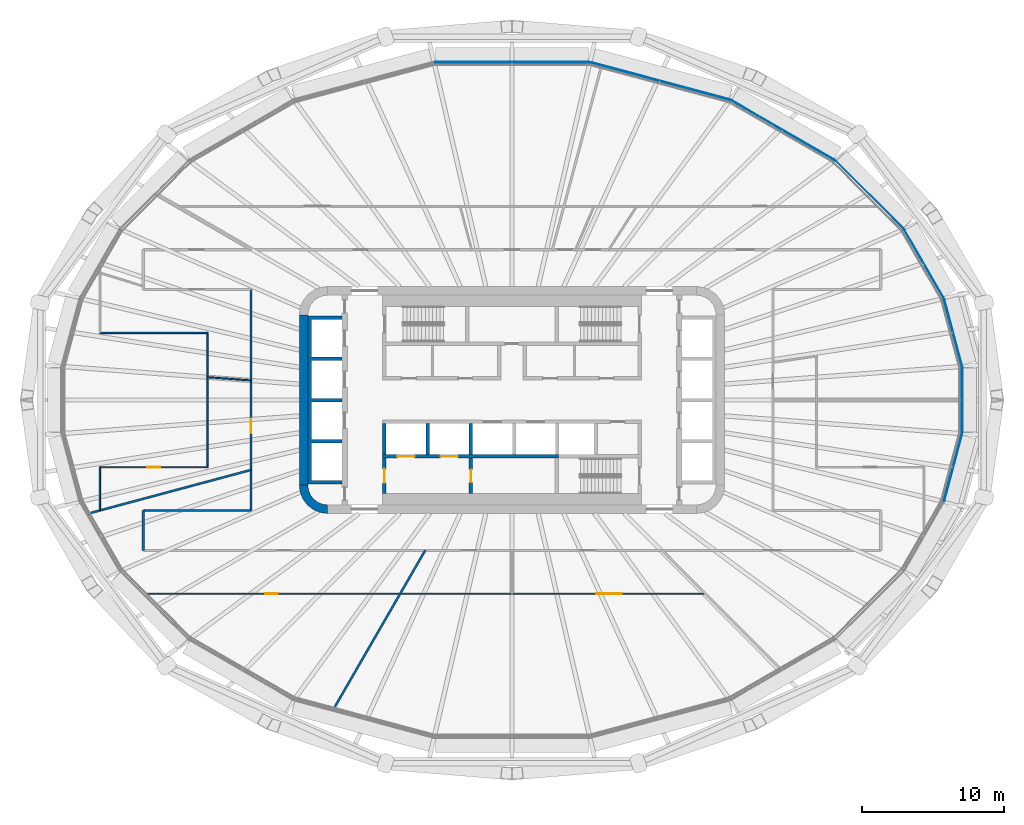
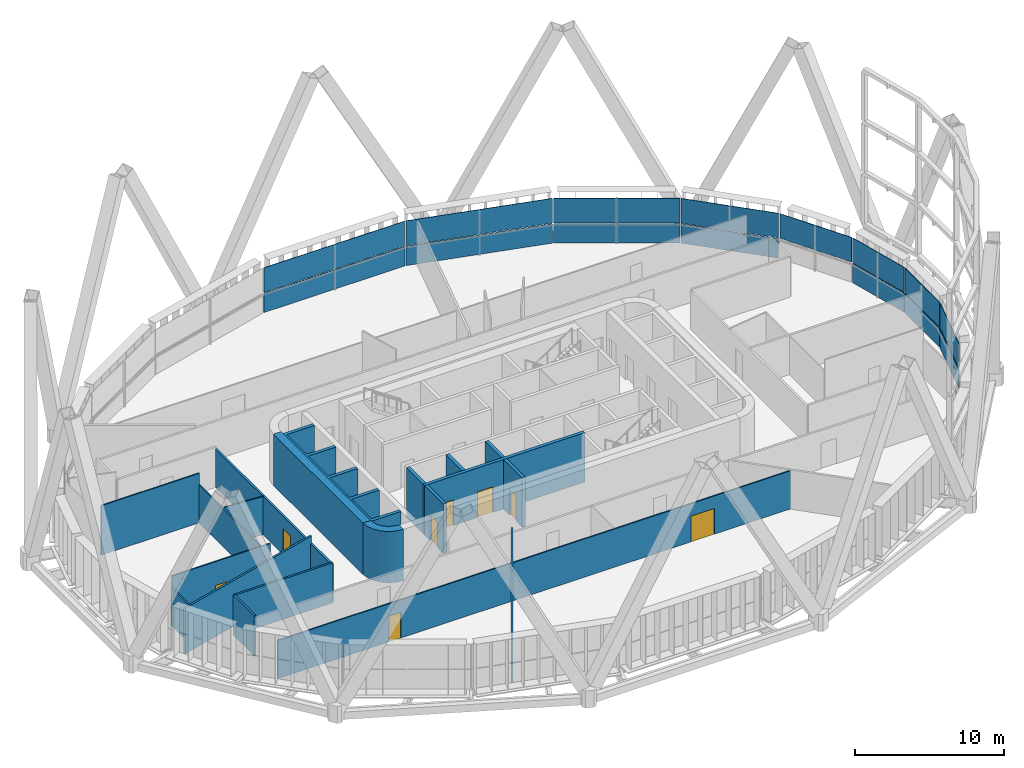
# One storey, part 15 of 26: 20 walls, 15 plates, 8 doors, 8 openings, 8 elements without a shape of their own.
"""IFC4 building model written with IfcOpenShell, lengths in metres."""

from ifc_helpers import new_model, si_unit, direction, frame, frame_2d, origin, place, context, subcontext, project, spatial, polyline, rectangle, outline, extrude, material, layer, layer_set, type_object, element, fill, aggregate, save


model = new_model("IFC4")

# Units and contexts
model_context = context("Model", 3, precision=1e-05, world=origin(), true_north=direction((0.0, 1.0)))
body_context = subcontext(model_context, "Body", "Model", "MODEL_VIEW")
ifc_project = project(units=[si_unit("LENGTHUNIT", "METRE"), si_unit("AREAUNIT", "SQUARE_METRE"), si_unit("VOLUMEUNIT", "CUBIC_METRE"), si_unit("PLANEANGLEUNIT", "RADIAN"), si_unit("MASSUNIT", "GRAM", prefix="KILO")], contexts=[model_context])

# Site, building, storey
site_placement = place(None, origin())
site = spatial("IfcSite", under=ifc_project, at=site_placement, CompositionType="ELEMENT")
building_placement = place(site_placement, origin())
building = spatial("IfcBuilding", under=site, at=building_placement, Name="Sahrelin Media Tower", CompositionType="ELEMENT")
storey_placement = place(building_placement, frame((0.0, 0.0, 131.39990234375)))
storey = spatial("IfcBuildingStorey", under=building, at=storey_placement, Name="L26", CompositionType="ELEMENT", Elevation=131.39990234375)

# Curtain wall, plate
ifc_material_1 = material(Name="Champagne anodised aluminium 6063-T6", Category="aluminium")
ifc_layer_1 = layer(ifc_material_1, 0.14990234375)
ifc_layer_set_1 = layer_set([ifc_layer_1], Name="Tower ribbon curtain wall")
curtain_wall_type = type_object("IfcCurtainWallType", Name="Tower ribbon curtain wall", PredefinedType="NOTDEFINED", material=ifc_layer_set_1)
curtain_wall_1_placement = place(storey_placement, frame((31.749267578125, 0.0, 0.0), z_axis=(0.0, 0.0, 1.0), x_axis=(1.0, 0.0, 0.0)))
curtain_wall_1 = element("IfcCurtainWall", 1, at=curtain_wall_1_placement, inside=storey, type_object=curtain_wall_type, Name="L26:CW:L26-00", PredefinedType="NOTDEFINED")
ifc_material_2 = material(Name="Clear low-iron glazing", Category="glass")
ifc_layer_2 = layer(ifc_material_2, 0.0400390625)
ifc_layer_set_2 = layer_set([ifc_layer_2], Name="Glazing panel 40 mm CW1")
plate_type_1 = type_object("IfcPlateType", Name="Glazing panel 40 mm CW1", PredefinedType="CURTAIN_PANEL", material=ifc_layer_set_2)
plate_1_placement = place(storey_placement, frame((31.769287109375, -2.322021484375, 1.630126953125), z_axis=(1.0, 0.0, 0.0), x_axis=(0.0, 1.0, 0.0)))
plate_1 = element("IfcPlate", 2, at=plate_1_placement, type_object=plate_type_1, Name="L26:CWP2:L26-00", PredefinedType="CURTAIN_PANEL", context=body_context, shape_type="SweptSolid", body=[
    extrude(outline(polyline([(0.0, 0.0), (4.64404296875, 0.0), (4.64404296875, 2.0185546875), (0.0, 2.0185546875), (0.0, 0.0)])), origin(), (0.0, 0.0, -1.0), 0.0400390625),
])

curtain_wall_2_placement = place(storey_placement, frame((31.107421875, 4.76806640625, 0.0), z_axis=(0.0, 0.0, 1.0), x_axis=(1.0, 0.0, 0.0)))
curtain_wall_2 = element("IfcCurtainWall", 3, at=curtain_wall_2_placement, inside=storey, type_object=curtain_wall_type, Name="L26:CW:L26-01", PredefinedType="NOTDEFINED")
plate_2_placement = place(storey_placement, frame((31.755615234375, 2.42529296875, 1.630126953125), z_axis=(0.965935050712, 0.258784616633, 0.0), x_axis=(-0.258784616633, 0.965935050712, 0.0)))
plate_2 = element("IfcPlate", 4, at=plate_2_placement, type_object=plate_type_1, Name="L26:CWP2:L26-01", PredefinedType="CURTAIN_PANEL", context=body_context, shape_type="SweptSolid", body=[
    extrude(outline(polyline([(0.0, 0.0), (4.861328125, 0.0), (4.861328125, 2.0185546875), (0.0, 2.0185546875), (0.0, 0.0)])), origin(), (0.0, 0.0, -1.0), 0.0400390625),
])

curtain_wall_3_placement = place(storey_placement, frame((29.053955078125, 9.608642578125, 0.0), z_axis=(0.0, 0.0, 1.0), x_axis=(1.0, 0.0, 0.0)))
curtain_wall_3 = element("IfcCurtainWall", 5, at=curtain_wall_3_placement, inside=storey, type_object=curtain_wall_type, Name="L26:CW:L26-02", PredefinedType="NOTDEFINED")
plate_3_placement = place(storey_placement, frame((30.45751953125, 7.217529296875, 1.630126953125), z_axis=(0.866015486245, 0.500017177289, 0.0), x_axis=(-0.500017177289, 0.866015486245, 0.0)))
plate_3 = element("IfcPlate", 6, at=plate_3_placement, type_object=plate_type_1, Name="L26:CWP2:L26-02", PredefinedType="CURTAIN_PANEL", context=body_context, shape_type="SweptSolid", body=[
    extrude(outline(polyline([(0.0, 0.0), (5.545166015625, 0.0), (5.545166015625, 2.0185546875), (0.0, 2.0185546875), (0.0, 0.0)])), origin(), (0.0, 0.0, -1.0), 0.0400390625),
])
aggregate(curtain_wall_3, [plate_3])

curtain_wall_4_placement = place(storey_placement, frame((25.2177734375, 14.477783203125, 0.0), z_axis=(0.0, 0.0, 1.0), x_axis=(1.0, 0.0, 0.0)))
curtain_wall_4 = element("IfcCurtainWall", 7, at=curtain_wall_4_placement, inside=storey, type_object=curtain_wall_type, Name="L26:CW:L26-03", PredefinedType="NOTDEFINED")
plate_4_placement = place(storey_placement, frame((27.621337890625, 12.1025390625, 1.630126953125), z_axis=(0.707106781187, 0.707106781187, 0.0), x_axis=(-0.707106781187, 0.707106781187, 0.0)))
plate_4 = element("IfcPlate", 8, at=plate_4_placement, type_object=plate_type_1, Name="L26:CWP2:L26-03", PredefinedType="CURTAIN_PANEL", context=body_context, shape_type="SweptSolid", body=[
    extrude(outline(polyline([(0.0, 0.0), (6.75830078125, 0.0), (6.75830078125, 2.0185546875), (0.0, 2.0185546875), (0.0, 0.0)])), origin(), (0.0, 0.0, -1.0), 0.0400390625),
])

curtain_wall_5_placement = place(storey_placement, frame((19.092041015625, 19.039306640625, 0.0), z_axis=(0.0, 0.0, 1.0), x_axis=(1.0, 0.0, 0.0)))
curtain_wall_5 = element("IfcCurtainWall", 9, at=curtain_wall_5_placement, inside=storey, type_object=curtain_wall_type, Name="L26:CW:L26-04", PredefinedType="NOTDEFINED")
plate_5_placement = place(storey_placement, frame((22.759765625, 16.94482421875, 1.630126953125), z_axis=(0.499993479487, 0.866029168372, 0.0), x_axis=(-0.866029168372, 0.499993479487, 0.0)))
plate_5 = element("IfcPlate", 10, at=plate_5_placement, type_object=plate_type_1, Name="L26:CWP2:L26-04", PredefinedType="CURTAIN_PANEL", context=body_context, shape_type="SweptSolid", body=[
    extrude(outline(polyline([(0.0, 0.0), (8.447265625, 0.0), (8.447265625, 2.0185546875), (0.0, 2.0185546875), (0.0, 0.0)])), origin(), (0.0, 0.0, -1.0), 0.0400390625),
])

curtain_wall_6_placement = place(storey_placement, frame((10.4443359375, 22.501708984375, 0.0), z_axis=(0.0, 0.0, 1.0), x_axis=(1.0, 0.0, 0.0)))
curtain_wall_6 = element("IfcCurtainWall", 11, at=curtain_wall_6_placement, inside=storey, type_object=curtain_wall_type, Name="L26:CW:L26-05", PredefinedType="NOTDEFINED")
plate_6_placement = place(storey_placement, frame((15.347900390625, 21.20849609375, 1.630126953125), z_axis=(0.25882512505, 0.965924197151, 0.0), x_axis=(-0.965924197151, 0.25882512505, 0.0)))
plate_6 = element("IfcPlate", 12, at=plate_6_placement, type_object=plate_type_1, Name="L26:CWP2:L26-05", PredefinedType="CURTAIN_PANEL", context=body_context, shape_type="SweptSolid", body=[
    extrude(outline(polyline([(0.0, 0.0), (10.14208984375, 0.0), (10.14208984375, 2.0185546875), (0.0, 2.0185546875), (0.0, 0.0)])), origin(), (0.0, 0.0, -1.0), 0.0400390625),
])

curtain_wall_7_placement = place(storey_placement, frame((0.0, 23.826904296875, 0.0), z_axis=(0.0, 0.0, 1.0), x_axis=(1.0, 0.0, 0.0)))
curtain_wall_7 = element("IfcCurtainWall", 13, at=curtain_wall_7_placement, inside=storey, type_object=curtain_wall_type, Name="L26:CW:L26-06", PredefinedType="NOTDEFINED")
plate_7_placement = place(storey_placement, frame((5.447998046875, 23.846923828125, 1.630126953125), z_axis=(0.0, 1.0, 0.0), x_axis=(-1.0, 0.0, 0.0)))
plate_7 = element("IfcPlate", 14, at=plate_7_placement, type_object=plate_type_1, Name="L26:CWP2:L26-06", PredefinedType="CURTAIN_PANEL", context=body_context, shape_type="SweptSolid", body=[
    extrude(outline(polyline([(0.0, 0.0), (10.89599609375, 0.0), (10.89599609375, 2.0185546875), (0.0, 2.0185546875), (0.0, 0.0)])), origin(), (0.0, 0.0, -1.0), 0.0400390625),
])

curtain_wall_8_placement = place(storey_placement, frame((31.107421875, -4.76806640625, 0.0), z_axis=(0.0, 0.0, 1.0), x_axis=(1.0, 0.0, 0.0)))
curtain_wall_8 = element("IfcCurtainWall", 15, at=curtain_wall_8_placement, inside=storey, type_object=curtain_wall_type, Name="L26:CW:L26-23", PredefinedType="NOTDEFINED")
plate_8_placement = place(storey_placement, frame((30.49755859375, -7.12109375, 1.630126953125), z_axis=(0.965935050712, -0.258784616633, 0.0), x_axis=(0.258784616633, 0.965935050712, 0.0)))
plate_8 = element("IfcPlate", 16, at=plate_8_placement, type_object=plate_type_1, Name="L26:CWP2:L26-23", PredefinedType="CURTAIN_PANEL", context=body_context, shape_type="SweptSolid", body=[
    extrude(outline(polyline([(0.0, 0.0), (4.861328125, 0.0), (4.861328125, 2.0185546875), (0.0, 2.0185546875), (0.0, 0.0)])), origin(), (0.0, 0.0, -1.0), 0.0400390625),
])

# Plate
ifc_material_3 = material(Name="Insulated spandrel panel")
ifc_layer_3 = layer(ifc_material_3, 0.06005859375)
ifc_layer_set_3 = layer_set([ifc_layer_3], Name="Spandrel panel 60 mm CW1")
plate_type_2 = type_object("IfcPlateType", Name="Spandrel panel 60 mm CW1", PredefinedType="SHEET", material=ifc_layer_set_3)
plate_9_placement = place(storey_placement, frame((31.769287109375, -2.322021484375, 0.0), z_axis=(1.0, 0.0, 0.0), x_axis=(0.0, 1.0, 0.0)))
plate_9 = element("IfcPlate", 17, at=plate_9_placement, type_object=plate_type_2, Name="L26:CWP1:L26-00", PredefinedType="SHEET", context=body_context, shape_type="SweptSolid", body=[
    extrude(outline(polyline([(0.0, 0.0), (4.64404296875, 0.0), (4.64404296875, 1.570068359375), (0.0, 1.570068359375), (0.0, 0.0)])), origin(), (0.0, 0.0, -1.0), 0.06005859375),
])

aggregate(curtain_wall_1, [plate_9, plate_1])

plate_10_placement = place(storey_placement, frame((31.755615234375, 2.42529296875, 0.0), z_axis=(0.965935050712, 0.258784616633, 0.0), x_axis=(-0.258784616633, 0.965935050712, 0.0)))
plate_10 = element("IfcPlate", 18, at=plate_10_placement, type_object=plate_type_2, Name="L26:CWP1:L26-01", PredefinedType="SHEET", context=body_context, shape_type="SweptSolid", body=[
    extrude(outline(polyline([(0.0, 0.0), (4.861328125, 0.0), (4.861328125, 1.570068359375), (0.0, 1.570068359375), (0.0, 0.0)])), origin(), (0.0, 0.0, -1.0), 0.06005859375),
])

aggregate(curtain_wall_2, [plate_10, plate_2])

plate_11_placement = place(storey_placement, frame((27.621337890625, 12.1025390625, 0.0), z_axis=(0.707106781187, 0.707106781187, 0.0), x_axis=(-0.707106781187, 0.707106781187, 0.0)))
plate_11 = element("IfcPlate", 19, at=plate_11_placement, type_object=plate_type_2, Name="L26:CWP1:L26-03", PredefinedType="SHEET", context=body_context, shape_type="SweptSolid", body=[
    extrude(outline(polyline([(0.0, 0.0), (6.75830078125, 0.0), (6.75830078125, 1.570068359375), (0.0, 1.570068359375), (0.0, 0.0)])), origin(), (0.0, 0.0, -1.0), 0.06005859375),
])

aggregate(curtain_wall_4, [plate_11, plate_4])

plate_12_placement = place(storey_placement, frame((22.759765625, 16.94482421875, 0.0), z_axis=(0.499993479487, 0.866029168372, 0.0), x_axis=(-0.866029168372, 0.499993479487, 0.0)))
plate_12 = element("IfcPlate", 20, at=plate_12_placement, type_object=plate_type_2, Name="L26:CWP1:L26-04", PredefinedType="SHEET", context=body_context, shape_type="SweptSolid", body=[
    extrude(outline(polyline([(0.0, 0.0), (8.447265625, 0.0), (8.447265625, 1.570068359375), (0.0, 1.570068359375), (0.0, 0.0)])), origin(), (0.0, 0.0, -1.0), 0.06005859375),
])

aggregate(curtain_wall_5, [plate_12, plate_5])

plate_13_placement = place(storey_placement, frame((15.347900390625, 21.20849609375, 0.0), z_axis=(0.25882512505, 0.965924197151, 0.0), x_axis=(-0.965924197151, 0.25882512505, 0.0)))
plate_13 = element("IfcPlate", 21, at=plate_13_placement, type_object=plate_type_2, Name="L26:CWP1:L26-05", PredefinedType="SHEET", context=body_context, shape_type="SweptSolid", body=[
    extrude(outline(polyline([(0.0, 0.0), (10.14208984375, 0.0), (10.14208984375, 1.570068359375), (0.0, 1.570068359375), (0.0, 0.0)])), origin(), (0.0, 0.0, -1.0), 0.06005859375),
])

aggregate(curtain_wall_6, [plate_13, plate_6])

plate_14_placement = place(storey_placement, frame((5.447998046875, 23.846923828125, 0.0), z_axis=(0.0, 1.0, 0.0), x_axis=(-1.0, 0.0, 0.0)))
plate_14 = element("IfcPlate", 22, at=plate_14_placement, type_object=plate_type_2, Name="L26:CWP1:L26-06", PredefinedType="SHEET", context=body_context, shape_type="SweptSolid", body=[
    extrude(outline(polyline([(0.0, 0.0), (10.89599609375, 0.0), (10.89599609375, 1.570068359375), (0.0, 1.570068359375), (0.0, 0.0)])), origin(), (0.0, 0.0, -1.0), 0.06005859375),
])

aggregate(curtain_wall_7, [plate_14, plate_7])

plate_15_placement = place(storey_placement, frame((30.49755859375, -7.12109375, 0.0), z_axis=(0.965935050712, -0.258784616633, 0.0), x_axis=(0.258784616633, 0.965935050712, 0.0)))
plate_15 = element("IfcPlate", 23, at=plate_15_placement, type_object=plate_type_2, Name="L26:CWP1:L26-23", PredefinedType="SHEET", context=body_context, shape_type="SweptSolid", body=[
    extrude(outline(polyline([(0.0, 0.0), (4.861328125, 0.0), (4.861328125, 1.570068359375), (0.0, 1.570068359375), (0.0, 0.0)])), origin(), (0.0, 0.0, -1.0), 0.06005859375),
])

aggregate(curtain_wall_8, [plate_15, plate_8])

# Walls
ifc_material_4 = material(Name="Concrete C60/75", Category="concrete")
ifc_layer_4 = layer(ifc_material_4, 0.60009765625)
ifc_layer_set_4 = layer_set([ifc_layer_4], Name="Core wall 600")
wall_type_1 = type_object("IfcWallType", Name="Core wall 600", PredefinedType="SHEAR", material=ifc_layer_set_4)
wall_1_placement = place(storey_placement, frame((-14.699951171875, -6.0, 0.0), z_axis=(0.0, 0.0, 1.0), x_axis=(0.0, 1.0, 0.0)))
element("IfcWall", 24, at=wall_1_placement, inside=storey, type_object=wall_type_1, Name="Core wall W L26", PredefinedType="SHEAR", context=body_context, shape_type="SweptSolid", body=[
    extrude(rectangle(XDim=12.0, YDim=0.60009765625, at=frame_2d((6.0, 0.0))), origin(), (0.0, 0.0, 1.0), 4.2001953125),
])
placement = place(storey_placement, origin())
element("IfcWall", 25, at=placement, inside=storey, type_object=wall_type_1, Name="Core wall corner SW L26", PredefinedType="SHEAR", context=body_context, shape_type="SweptSolid", body=[
    extrude(outline(polyline([(-13.0, -8.0), (-13.0, -7.394775390625), (-13.361083984375, -7.347412109375), (-13.697509765625, -7.2080078125), (-13.986328125, -6.986328125), (-14.2080078125, -6.697509765625), (-14.347412109375, -6.361083984375), (-14.394775390625, -6.0), (-15.0, -6.0), (-14.931884765625, -6.517578125), (-14.732177734375, -7.0), (-14.414306640625, -7.414306640625), (-14.0, -7.732177734375), (-13.517578125, -7.931884765625), (-13.0, -8.0)])), origin(), (0.0, 0.0, 1.0), 4.2001953125),
])
ifc_material_5 = material(Name="Fire-rated gypsum board partition")
ifc_layer_5 = layer(ifc_material_5, 0.14990234375)
ifc_layer_set_5 = layer_set([ifc_layer_5], Name="Fire-rated partition 150")
wall_type_2 = type_object("IfcWallType", Name="Fire-rated partition 150", PredefinedType="PARTITIONING", material=ifc_layer_set_5)
wall_3_placement = place(storey_placement, frame((-26.0, -7.800048828125, 0.0), z_axis=(0.0, 0.0, 1.0), x_axis=(1.0, 0.0, 0.0)))
element("IfcWall", 26, at=wall_3_placement, inside=storey, type_object=wall_type_2, Name="Wall", PredefinedType="PARTITIONING", context=body_context, shape_type="SweptSolid", body=[
    extrude(rectangle(XDim=7.60009765625, YDim=0.14990234375, at=frame_2d((3.800048828125, 0.0))), origin(), (0.0, 0.0, 1.0), 3.276123046875),
])
wall_4_placement = place(storey_placement, frame((-29.966064453125, -8.029052734375, 0.0), z_axis=(0.0, 0.0, 1.0), x_axis=(0.965898076595, 0.258922586171, 0.0)))
element("IfcWall", 27, at=wall_4_placement, inside=storey, type_object=wall_type_2, Name="Wall", PredefinedType="PARTITIONING", context=body_context, shape_type="SweptSolid", body=[
    extrude(rectangle(XDim=11.97412109375, YDim=0.14990234375, at=frame_2d((5.987060546875, 0.0))), origin(), (0.0, 0.0, 1.0), 3.726806640625),
])
wall_5_placement = place(storey_placement, frame((-12.64990234375, -21.909912109375, 0.0), z_axis=(0.0, 0.0, 1.0), x_axis=(0.500017508733, 0.866015294877, 0.0)))
element("IfcWall", 28, at=wall_5_placement, inside=storey, type_object=wall_type_2, Name="Wall", PredefinedType="PARTITIONING", context=body_context, shape_type="SweptSolid", body=[
    extrude(rectangle(XDim=13.0595703125, YDim=0.14990234375, at=frame_2d((6.52978515625, 0.0))), origin(), (0.0, 0.0, 1.0), 3.501708984375),
])

# Wall, opening, door
wall_6_placement = place(storey_placement, frame((-18.39990234375, -7.800048828125, 0.0), z_axis=(0.0, 0.0, 1.0), x_axis=(0.0, 1.0, 0.0)))
wall_6 = element("IfcWall", 29, at=wall_6_placement, inside=storey, type_object=wall_type_2, Name="Wall", PredefinedType="PARTITIONING", context=body_context, shape_type="SweptSolid", body=[
    extrude(rectangle(XDim=15.60009765625, YDim=0.14990234375, at=frame_2d((7.800048828125, 0.0))), origin(), (0.0, 0.0, 1.0), 3.127197265625),
])
opening_1_placement = place(wall_6_placement, frame((5.474365234375, 0.0, 0.0)))
opening_1 = element("IfcOpeningElement", 30, at=opening_1_placement, cuts=wall_6, Name="Opening L26-D35", PredefinedType="OPENING", context=body_context, shape_type="SweptSolid", body=[
    extrude(rectangle(XDim=1.0, YDim=2.10009765625, at=frame_2d((0.5, 1.050048828125))), frame((0.0, 0.074951171875, 0.0), z_axis=(0.0, -1.0, 0.0), x_axis=(1.0, 0.0, 0.0)), (0.0, 0.0, 1.0), 0.14990234375),
])
ifc_material_6 = material(Name="Steel fire door leaf", Category="steel")
door_type_1 = type_object("IfcDoorType", Name="Fire door 1000 x 2100 EI 60", OperationType="NOTDEFINED", PredefinedType="DOOR", material=ifc_material_6)
door_1_placement = place(opening_1_placement, origin())
door_1 = element("IfcDoor", 31, at=door_1_placement, inside=storey, type_object=door_type_1, Name="Fire door", OperationType="SINGLE_SWING_LEFT", OverallHeight=2.10009765625, OverallWidth=1.0, PredefinedType="DOOR", context=body_context, shape_type="SweptSolid", body=[
    extrude(rectangle(XDim=1.0, YDim=2.10009765625, at=frame_2d((0.5, 1.050048828125))), frame((0.0, 0.02490234375, 0.0), z_axis=(0.0, -1.0, 0.0), x_axis=(1.0, 0.0, 0.0)), (0.0, 0.0, 1.0), 0.050048828125),
])
fill(opening_1, door_1)

# Wall
wall_7_placement = place(storey_placement, frame((-26.0, -10.60009765625, 0.0), z_axis=(0.0, 0.0, 1.0), x_axis=(0.0, 1.0, 0.0)))
element("IfcWall", 32, at=wall_7_placement, inside=storey, type_object=wall_type_2, Name="Wall", PredefinedType="PARTITIONING", context=body_context, shape_type="SweptSolid", body=[
    extrude(rectangle(XDim=2.800048828125, YDim=0.14990234375, at=frame_2d((1.39990234375, 0.0))), origin(), (0.0, 0.0, 1.0), 3.276123046875),
])

# Wall, opening, door
ifc_layer_6 = layer(ifc_material_5, 0.25)
ifc_layer_set_6 = layer_set([ifc_layer_6], Name="Firefighting lobby wall 250")
wall_type_3 = type_object("IfcWallType", Name="Firefighting lobby wall 250", PredefinedType="PARTITIONING", material=ifc_layer_set_6)
wall_8_placement = place(storey_placement, frame((-9.0, -6.60009765625, 0.0), z_axis=(0.0, 0.0, 1.0), x_axis=(0.0, 1.0, 0.0)))
wall_8 = element("IfcWall", 33, at=wall_8_placement, inside=storey, type_object=wall_type_3, Name="Core wall", PredefinedType="PARTITIONING", context=body_context, shape_type="SweptSolid", body=[
    extrude(rectangle(XDim=2.5, YDim=0.25, at=frame_2d((1.25, 0.0))), origin(), (0.0, 0.0, 1.0), 4.050048828125),
])
opening_2_placement = place(wall_8_placement, frame((0.75, 0.0, 0.0)))
opening_2 = element("IfcOpeningElement", 34, at=opening_2_placement, cuts=wall_8, Name="Opening L26-D04", PredefinedType="OPENING", context=body_context, shape_type="SweptSolid", body=[
    extrude(rectangle(XDim=1.0, YDim=2.10009765625, at=frame_2d((0.5, 1.050048828125))), frame((0.0, 0.125, 0.0), z_axis=(0.0, -1.0, 0.0), x_axis=(1.0, 0.0, 0.0)), (0.0, 0.0, 1.0), 0.25),
])
door_type_2 = type_object("IfcDoorType", Name="Firefighting lobby door 1000 x 2100 EI 120", OperationType="NOTDEFINED", PredefinedType="DOOR", material=ifc_material_6)
door_2_placement = place(opening_2_placement, origin())
door_2 = element("IfcDoor", 35, at=door_2_placement, inside=storey, type_object=door_type_2, Name="Firefighting lobby door", OperationType="SINGLE_SWING_LEFT", OverallHeight=2.10009765625, OverallWidth=1.0, PredefinedType="DOOR", context=body_context, shape_type="SweptSolid", body=[
    extrude(rectangle(XDim=1.0, YDim=2.10009765625, at=frame_2d((0.5, 1.050048828125))), frame((0.0, 0.02490234375, 0.0), z_axis=(0.0, -1.0, 0.0), x_axis=(1.0, 0.0, 0.0)), (0.0, 0.0, 1.0), 0.050048828125),
])
fill(opening_2, door_2)

wall_9_placement = place(storey_placement, frame((-2.89990234375, -6.60009765625, 0.0), z_axis=(0.0, 0.0, 1.0), x_axis=(0.0, 1.0, 0.0)))
wall_9 = element("IfcWall", 36, at=wall_9_placement, inside=storey, type_object=wall_type_3, Name="Core wall", PredefinedType="PARTITIONING", context=body_context, shape_type="SweptSolid", body=[
    extrude(rectangle(XDim=2.5, YDim=0.25, at=frame_2d((1.25, 0.0))), origin(), (0.0, 0.0, 1.0), 4.050048828125),
])
opening_3_placement = place(wall_9_placement, frame((0.800048828125, 0.0, 0.0)))
opening_3 = element("IfcOpeningElement", 37, at=opening_3_placement, cuts=wall_9, Name="Opening L26-D05", PredefinedType="OPENING", context=body_context, shape_type="SweptSolid", body=[
    extrude(rectangle(XDim=0.89990234375, YDim=2.10009765625, at=frame_2d((0.449951171875, 1.050048828125))), frame((0.0, 0.125, 0.0), z_axis=(0.0, -1.0, 0.0), x_axis=(1.0, 0.0, 0.0)), (0.0, 0.0, 1.0), 0.25),
])
door_type_3 = type_object("IfcDoorType", Name="Firefighting lobby door 900 x 2100 EI 120", OperationType="NOTDEFINED", PredefinedType="DOOR", material=ifc_material_6)
door_3_placement = place(opening_3_placement, origin())
door_3 = element("IfcDoor", 38, at=door_3_placement, inside=storey, type_object=door_type_3, Name="Riser door", OperationType="SINGLE_SWING_RIGHT", OverallHeight=2.10009765625, OverallWidth=0.89990234375, PredefinedType="DOOR", context=body_context, shape_type="SweptSolid", body=[
    extrude(rectangle(XDim=0.89990234375, YDim=2.10009765625, at=frame_2d((0.449951171875, 1.050048828125))), frame((0.0, 0.02490234375, 0.0), z_axis=(0.0, -1.0, 0.0), x_axis=(1.0, 0.0, 0.0)), (0.0, 0.0, 1.0), 0.050048828125),
])
fill(opening_3, door_3)

# Wall, openings, doors
ifc_layer_7 = layer(ifc_material_4, 0.25)
ifc_layer_set_7 = layer_set([ifc_layer_7], Name="Lift shaft wall 250")
wall_type_4 = type_object("IfcWallType", Name="Lift shaft wall 250", PredefinedType="SOLIDWALL", material=ifc_layer_set_7)
wall_10_placement = place(storey_placement, frame((-9.125, -3.97509765625, 0.0), z_axis=(0.0, 0.0, 1.0), x_axis=(1.0, 0.0, 0.0)))
wall_10 = element("IfcWall", 39, at=wall_10_placement, inside=storey, type_object=wall_type_4, Name="Lift shaft wall", PredefinedType="SOLIDWALL", context=body_context, shape_type="SweptSolid", body=[
    extrude(rectangle(XDim=12.39990234375, YDim=0.25, at=frame_2d((6.199951171875, 0.0))), origin(), (0.0, 0.0, 1.0), 4.050048828125),
])
opening_4_placement = place(wall_10_placement, frame((1.050048828125, 0.0, 0.0)))
opening_4 = element("IfcOpeningElement", 40, at=opening_4_placement, cuts=wall_10, Name="Opening L26-LD-FF1", PredefinedType="OPENING", context=body_context, shape_type="SweptSolid", body=[
    extrude(rectangle(XDim=1.199951171875, YDim=2.10009765625, at=frame_2d((0.60009765625, 1.050048828125))), frame((0.0, 0.125, 0.0), z_axis=(0.0, -1.0, 0.0), x_axis=(1.0, 0.0, 0.0)), (0.0, 0.0, 1.0), 0.25),
])
opening_5_placement = place(wall_10_placement, frame((4.10009765625, 0.0, 0.0)))
opening_5 = element("IfcOpeningElement", 41, at=opening_5_placement, cuts=wall_10, Name="Opening L26-LD-FF2", PredefinedType="OPENING", context=body_context, shape_type="SweptSolid", body=[
    extrude(rectangle(XDim=1.199951171875, YDim=2.10009765625, at=frame_2d((0.60009765625, 1.050048828125))), frame((0.0, 0.125, 0.0), z_axis=(0.0, -1.0, 0.0), x_axis=(1.0, 0.0, 0.0)), (0.0, 0.0, 1.0), 0.25),
])
ifc_material_7 = material(Name="Stainless steel", Category="steel")
door_type_4 = type_object("IfcDoorType", Name="Lift landing door 1200 x 2100 EI 120", OperationType="DOUBLE_DOOR_SLIDING", PredefinedType="DOOR", material=ifc_material_7)
door_4_placement = place(opening_4_placement, origin())
door_4 = element("IfcDoor", 42, at=door_4_placement, inside=storey, type_object=door_type_4, Name="Lift landing door FF1", OperationType="DOUBLE_DOOR_SLIDING", OverallHeight=2.10009765625, OverallWidth=1.199951171875, PredefinedType="DOOR", context=body_context, shape_type="SweptSolid", body=[
    extrude(rectangle(XDim=1.199951171875, YDim=2.10009765625, at=frame_2d((0.60009765625, 1.050048828125))), frame((0.0, 0.02490234375, 0.0), z_axis=(0.0, -1.0, 0.0), x_axis=(1.0, 0.0, 0.0)), (0.0, 0.0, 1.0), 0.050048828125),
])
fill(opening_4, door_4)
door_5_placement = place(opening_5_placement, origin())
door_5 = element("IfcDoor", 43, at=door_5_placement, inside=storey, type_object=door_type_4, Name="Lift landing door FF2", OperationType="DOUBLE_DOOR_SLIDING", OverallHeight=2.10009765625, OverallWidth=1.199951171875, PredefinedType="DOOR", context=body_context, shape_type="SweptSolid", body=[
    extrude(rectangle(XDim=1.199951171875, YDim=2.10009765625, at=frame_2d((0.60009765625, 1.050048828125))), frame((0.0, 0.02490234375, 0.0), z_axis=(0.0, -1.0, 0.0), x_axis=(1.0, 0.0, 0.0)), (0.0, 0.0, 1.0), 0.050048828125),
])
fill(opening_5, door_5)

# Walls
for number, where, z_axis, x_axis, name in (
    (44, (-9.0, -3.85009765625, 0.0), (0.0, 0.0, 1.0), (0.0, 1.0, 0.0), "Lift shaft wall"),
    (45, (-5.949951171875, -3.85009765625, 0.0), (0.0, 0.0, 1.0), (0.0, 1.0, 0.0), "Lift shaft wall"),
    (46, (-2.89990234375, -3.85009765625, 0.0), (0.0, 0.0, 1.0), (0.0, 1.0, 0.0), "Lift shaft wall"),
):
    element("IfcWall", number, at=place(storey_placement, frame(where, z_axis=z_axis, x_axis=x_axis)), inside=storey, type_object=wall_type_4, Name=name, PredefinedType="SOLIDWALL", context=body_context, shape_type="SweptSolid", body=[
        extrude(rectangle(XDim=2.2001953125, YDim=0.25, at=frame_2d((1.10009765625, 0.0))), origin(), (0.0, 0.0, 1.0), 4.050048828125),
    ])
element("IfcWall", 47, at=placement, inside=storey, type_object=wall_type_4, Name="Lift shaft wall", PredefinedType="SOLIDWALL", context=body_context, shape_type="SweptSolid", body=[
    extrude(outline(polyline([(-12.0, -5.925048828125), (-12.0, -5.675048828125), (-14.14990234375, -5.675048828125), (-14.14990234375, -3.02490234375), (-12.0, -3.02490234375), (-12.0, -2.77490234375), (-14.14990234375, -2.77490234375), (-14.14990234375, -0.125), (-12.0, -0.125), (-12.0, 0.125), (-14.14990234375, 0.125), (-14.14990234375, 2.77490234375), (-12.0, 2.77490234375), (-12.0, 3.02490234375), (-14.14990234375, 3.02490234375), (-14.14990234375, 5.675048828125), (-12.0, 5.675048828125), (-12.0, 5.925048828125), (-14.14990234375, 5.925048828125), (-14.39990234375, 5.925048828125), (-14.39990234375, 5.675048828125), (-14.39990234375, 3.02490234375), (-14.39990234375, 2.77490234375), (-14.39990234375, 0.125), (-14.39990234375, -0.125), (-14.39990234375, -2.77490234375), (-14.39990234375, -3.02490234375), (-14.39990234375, -5.675048828125), (-14.39990234375, -5.925048828125), (-14.14990234375, -5.925048828125), (-12.0, -5.925048828125)])), origin(), (0.0, 0.0, 1.0), 4.050048828125),
])
ifc_material_8 = material(Name="Gypsum board partition")
ifc_layer_8 = layer(ifc_material_8, 0.10009765625)
ifc_layer_set_8 = layer_set([ifc_layer_8], Name="Partition 100")
wall_type_5 = type_object("IfcWallType", Name="Partition 100", PredefinedType="PARTITIONING", material=ifc_layer_set_8)
wall_12_placement = place(storey_placement, frame((-21.4599609375, 1.60888671875, 0.0), z_axis=(0.0, 0.0, 1.0), x_axis=(0.99718772759, -0.074944218876, 0.0)))
element("IfcWall", 48, at=wall_12_placement, inside=storey, type_object=wall_type_5, Name="Wall", PredefinedType="PARTITIONING", context=body_context, shape_type="SweptSolid", body=[
    extrude(rectangle(XDim=3.068603515625, YDim=0.10009765625, at=frame_2d((1.5341796875, 0.0))), origin(), (0.0, 0.0, 1.0), 3.127197265625),
])

# Wall, openings, doors
wall_13_placement = place(storey_placement, frame((-26.035888671875, -13.659912109375, 0.0), z_axis=(0.0, 0.0, 1.0), x_axis=(1.0, 0.0, 0.0)))
wall_13 = element("IfcWall", 49, at=wall_13_placement, inside=storey, type_object=wall_type_5, Name="Wall", PredefinedType="PARTITIONING", context=body_context, shape_type="SweptSolid", body=[
    extrude(rectangle(XDim=39.69580078125, YDim=0.10009765625, at=frame_2d((19.847900390625, 0.0))), origin(), (0.0, 0.0, 1.0), 3.127197265625),
])
opening_6_placement = place(wall_13_placement, frame((31.966064453125, 0.0, 0.0)))
opening_6 = element("IfcOpeningElement", 50, at=opening_6_placement, cuts=wall_13, Name="Opening L26-D22", PredefinedType="OPENING", context=body_context, shape_type="SweptSolid", body=[
    extrude(rectangle(XDim=1.800048828125, YDim=2.10009765625, at=frame_2d((0.89990234375, 1.050048828125))), frame((0.0, 0.050048828125, 0.0), z_axis=(0.0, -1.0, 0.0), x_axis=(1.0, 0.0, 0.0)), (0.0, 0.0, 1.0), 0.10009765625),
])
opening_7_placement = place(wall_13_placement, frame((8.62451171875, 0.0, 0.0)))
opening_7 = element("IfcOpeningElement", 51, at=opening_7_placement, cuts=wall_13, Name="Opening L26-D38", PredefinedType="OPENING", context=body_context, shape_type="SweptSolid", body=[
    extrude(rectangle(XDim=0.89990234375, YDim=2.10009765625, at=frame_2d((0.449951171875, 1.050048828125))), frame((0.0, 0.050048828125, 0.0), z_axis=(0.0, -1.0, 0.0), x_axis=(1.0, 0.0, 0.0)), (0.0, 0.0, 1.0), 0.10009765625),
])
ifc_material_9 = material(Name="Timber door leaf", Category="wood")
door_type_5 = type_object("IfcDoorType", Name="Double door 1800 x 2100", OperationType="DOUBLE_DOOR_SINGLE_SWING", PredefinedType="DOOR", material=ifc_material_9)
door_6_placement = place(opening_6_placement, origin())
door_6 = element("IfcDoor", 52, at=door_6_placement, inside=storey, type_object=door_type_5, Name="Double door", OperationType="DOUBLE_DOOR_SINGLE_SWING", OverallHeight=2.10009765625, OverallWidth=1.800048828125, PredefinedType="DOOR", context=body_context, shape_type="SweptSolid", body=[
    extrude(rectangle(XDim=1.800048828125, YDim=2.10009765625, at=frame_2d((0.89990234375, 1.050048828125))), frame((0.0, 0.02490234375, 0.0), z_axis=(0.0, -1.0, 0.0), x_axis=(1.0, 0.0, 0.0)), (0.0, 0.0, 1.0), 0.050048828125),
])
fill(opening_6, door_6)
door_type_6 = type_object("IfcDoorType", Name="Single door 900 x 2100", OperationType="NOTDEFINED", PredefinedType="DOOR", material=ifc_material_9)
door_7_placement = place(opening_7_placement, origin())
door_7 = element("IfcDoor", 53, at=door_7_placement, inside=storey, type_object=door_type_6, Name="Single door", OperationType="SINGLE_SWING_RIGHT", OverallHeight=2.10009765625, OverallWidth=0.89990234375, PredefinedType="DOOR", context=body_context, shape_type="SweptSolid", body=[
    extrude(rectangle(XDim=0.89990234375, YDim=2.10009765625, at=frame_2d((0.449951171875, 1.050048828125))), frame((0.0, 0.02490234375, 0.0), z_axis=(0.0, -1.0, 0.0), x_axis=(1.0, 0.0, 0.0)), (0.0, 0.0, 1.0), 0.050048828125),
])
fill(opening_7, door_7)

# Wall, opening, door
wall_14_placement = place(storey_placement, frame((-29.06005859375, -4.739990234375, 0.0), z_axis=(0.0, 0.0, 1.0), x_axis=(1.0, 0.0, 0.0)))
wall_14 = element("IfcWall", 54, at=wall_14_placement, inside=storey, type_object=wall_type_5, Name="Wall", PredefinedType="PARTITIONING", context=body_context, shape_type="SweptSolid", body=[
    extrude(rectangle(XDim=7.60009765625, YDim=0.10009765625, at=frame_2d((3.800048828125, 0.0))), origin(), (0.0, 0.0, 1.0), 4.050048828125),
])
opening_8_placement = place(wall_14_placement, frame((3.35009765625, 0.0, 0.0)))
opening_8 = element("IfcOpeningElement", 55, at=opening_8_placement, cuts=wall_14, Name="Opening L26-D36", PredefinedType="OPENING", context=body_context, shape_type="SweptSolid", body=[
    extrude(rectangle(XDim=0.89990234375, YDim=2.10009765625, at=frame_2d((0.449951171875, 1.050048828125))), frame((0.0, 0.050048828125, 0.0), z_axis=(0.0, -1.0, 0.0), x_axis=(1.0, 0.0, 0.0)), (0.0, 0.0, 1.0), 0.10009765625),
])
door_8_placement = place(opening_8_placement, origin())
door_8 = element("IfcDoor", 56, at=door_8_placement, inside=storey, type_object=door_type_6, Name="Single door", OperationType="SINGLE_SWING_RIGHT", OverallHeight=2.10009765625, OverallWidth=0.89990234375, PredefinedType="DOOR", context=body_context, shape_type="SweptSolid", body=[
    extrude(rectangle(XDim=0.89990234375, YDim=2.10009765625, at=frame_2d((0.449951171875, 1.050048828125))), frame((0.0, 0.02490234375, 0.0), z_axis=(0.0, -1.0, 0.0), x_axis=(1.0, 0.0, 0.0)), (0.0, 0.0, 1.0), 0.050048828125),
])
fill(opening_8, door_8)

# Walls
wall_15_placement = place(storey_placement, frame((-29.06005859375, 4.739990234375, 0.0), z_axis=(0.0, 0.0, 1.0), x_axis=(1.0, 0.0, 0.0)))
element("IfcWall", 57, at=wall_15_placement, inside=storey, type_object=wall_type_5, Name="Wall", PredefinedType="PARTITIONING", context=body_context, shape_type="SweptSolid", body=[
    extrude(rectangle(XDim=7.60009765625, YDim=0.10009765625, at=frame_2d((3.800048828125, 0.0))), origin(), (0.0, 0.0, 1.0), 4.050048828125),
])
wall_16_placement = place(storey_placement, frame((-21.4599609375, -4.739990234375, 0.0), z_axis=(0.0, 0.0, 1.0), x_axis=(0.0, 1.0, 0.0)))
element("IfcWall", 58, at=wall_16_placement, inside=storey, type_object=wall_type_5, Name="Wall", PredefinedType="PARTITIONING", context=body_context, shape_type="SweptSolid", body=[
    extrude(rectangle(XDim=9.47998046875, YDim=0.10009765625, at=frame_2d((4.739990234375, 0.0))), origin(), (0.0, 0.0, 1.0), 3.127197265625),
])
wall_17_placement = place(storey_placement, frame((-29.06005859375, -7.785888671875, 0.0), z_axis=(0.0, 0.0, 1.0), x_axis=(0.0, 1.0, 0.0)))
element("IfcWall", 59, at=wall_17_placement, inside=storey, type_object=wall_type_5, Name="Wall", PredefinedType="PARTITIONING", context=body_context, shape_type="SweptSolid", body=[
    extrude(rectangle(XDim=3.0458984375, YDim=0.10009765625, at=frame_2d((1.52294921875, 0.0))), origin(), (0.0, 0.0, 1.0), 3.127197265625),
])

save(model, "model.ifc")
